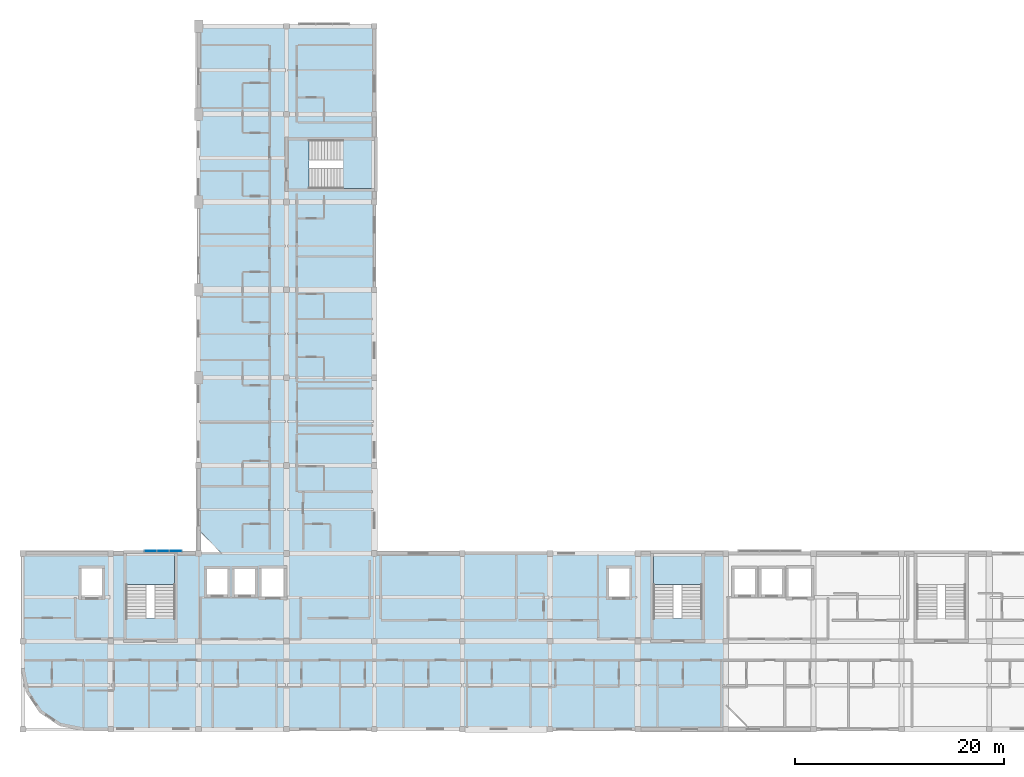
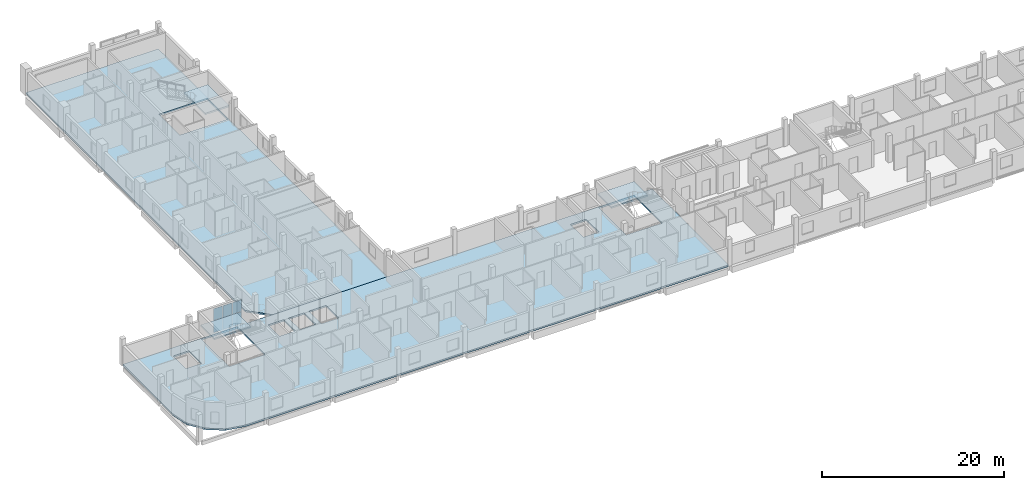
# One storey, part 7 of 20: 6 plates, 5 slabs, 4 elements without a shape of their own.
"""IFC4 building model written with IfcOpenShell, lengths in metres."""

from ifc_helpers import new_model, si_unit, derived_unit, direction, frame, origin, origin_2d, place, context, subcontext, project, spatial, polyline, rectangle, outline, extrude, material, layer, layer_set, type_object, element, aggregate, save


model = new_model("IFC4")

# Units and contexts
model_context = context("Model", 3, precision=1e-05, world=origin(), true_north=direction((0.0, 1.0)))
body_context = subcontext(model_context, "Body", "Model", "MODEL_VIEW")
ifc_project = project(units=[si_unit("LENGTHUNIT", "METRE"), si_unit("AREAUNIT", "SQUARE_METRE"), si_unit("VOLUMEUNIT", "CUBIC_METRE"), si_unit("PLANEANGLEUNIT", "RADIAN"), si_unit("MASSUNIT", "GRAM", prefix="KILO"), derived_unit("THERMALTRANSMITTANCEUNIT", [(si_unit("POWERUNIT", "WATT"), 1), (si_unit("LENGTHUNIT", "METRE"), -2), (si_unit("THERMODYNAMICTEMPERATUREUNIT", "KELVIN"), -1)])], contexts=[model_context])

# Site, building, storey
site_placement = place(None, origin())
site = spatial("IfcSite", under=ifc_project, at=site_placement, CompositionType="ELEMENT")
building_placement = place(site_placement, origin())
building = spatial("IfcBuilding", under=site, at=building_placement, Name="Barrovel Congress Hotel", CompositionType="ELEMENT")
storey_placement = place(building_placement, frame((0.0, 0.0, 36.300048828125)))
storey = spatial("IfcBuildingStorey", under=building, at=storey_placement, Name="L09", CompositionType="ELEMENT", Elevation=36.300048828125)

# Curtain wall, plates
ifc_material_1 = material(Name="Anodised Aluminium Alloy 6063-T6", Category="aluminium")
curtain_wall_type = type_object("IfcCurtainWallType", Name="CW-UN-3600x3200", PredefinedType="USERDEFINED", material=ifc_material_1)
curtain_wall_placement = place(storey_placement, origin())
curtain_wall = element("IfcCurtainWall", 1, at=curtain_wall_placement, inside=storey, type_object=curtain_wall_type, Name="CW:L09:UN-3", ObjectType="UNITISED CURTAIN WALL", PredefinedType="USERDEFINED")
ifc_material_2 = material(Name="Double Low-E Insulated Glazing", Category="glass")
ifc_layer_1 = layer(ifc_material_2, 0.031982421875)
ifc_layer_set_1 = layer_set([ifc_layer_1], Name="Double Low-E Insulated Glazing")
plate_type = type_object("IfcPlateType", Name="CWP-32", PredefinedType="CURTAIN_PANEL", material=ifc_layer_set_1)
plate_1_placement = place(storey_placement, frame((29.0, 21.219970703125, 0.030029296875), z_axis=(0.0, 0.0, 1.0), x_axis=(1.0, 0.0, 0.0)))
plate_1 = element("IfcPlate", 2, at=plate_1_placement, type_object=plate_type, Name="CW:L09:UN-3:P0-0", PredefinedType="CURTAIN_PANEL", context=body_context, shape_type="SweptSolid", body=[
    extrude(rectangle(XDim=1.139892578125, YDim=0.031982421875, at=origin_2d()), origin(), (0.0, 0.0, 1.0), 1.56494140625),
])
plate_2_placement = place(storey_placement, frame((29.0, 21.219970703125, 1.655029296875), z_axis=(0.0, 0.0, 1.0), x_axis=(1.0, 0.0, 0.0)))
plate_2 = element("IfcPlate", 3, at=plate_2_placement, type_object=plate_type, Name="CW:L09:UN-3:P0-1", PredefinedType="CURTAIN_PANEL", context=body_context, shape_type="SweptSolid", body=[
    extrude(rectangle(XDim=1.139892578125, YDim=0.031982421875, at=origin_2d()), origin(), (0.0, 0.0, 1.0), 1.56494140625),
])
plate_3_placement = place(storey_placement, frame((30.199951171875, 21.219970703125, 0.030029296875), z_axis=(0.0, 0.0, 1.0), x_axis=(1.0, 0.0, 0.0)))
plate_3 = element("IfcPlate", 4, at=plate_3_placement, type_object=plate_type, Name="CW:L09:UN-3:P1-0", PredefinedType="CURTAIN_PANEL", context=body_context, shape_type="SweptSolid", body=[
    extrude(rectangle(XDim=1.139892578125, YDim=0.031982421875, at=origin_2d()), origin(), (0.0, 0.0, 1.0), 1.56494140625),
])
plate_4_placement = place(storey_placement, frame((30.199951171875, 21.219970703125, 1.655029296875), z_axis=(0.0, 0.0, 1.0), x_axis=(1.0, 0.0, 0.0)))
plate_4 = element("IfcPlate", 5, at=plate_4_placement, type_object=plate_type, Name="CW:L09:UN-3:P1-1", PredefinedType="CURTAIN_PANEL", context=body_context, shape_type="SweptSolid", body=[
    extrude(rectangle(XDim=1.139892578125, YDim=0.031982421875, at=origin_2d()), origin(), (0.0, 0.0, 1.0), 1.56494140625),
])
plate_5_placement = place(storey_placement, frame((31.39990234375, 21.219970703125, 0.030029296875), z_axis=(0.0, 0.0, 1.0), x_axis=(1.0, 0.0, 0.0)))
plate_5 = element("IfcPlate", 6, at=plate_5_placement, type_object=plate_type, Name="CW:L09:UN-3:P2-0", PredefinedType="CURTAIN_PANEL", context=body_context, shape_type="SweptSolid", body=[
    extrude(rectangle(XDim=1.139892578125, YDim=0.031982421875, at=origin_2d()), origin(), (0.0, 0.0, 1.0), 1.56494140625),
])
plate_6_placement = place(storey_placement, frame((31.39990234375, 21.219970703125, 1.655029296875), z_axis=(0.0, 0.0, 1.0), x_axis=(1.0, 0.0, 0.0)))
plate_6 = element("IfcPlate", 7, at=plate_6_placement, type_object=plate_type, Name="CW:L09:UN-3:P2-1", PredefinedType="CURTAIN_PANEL", context=body_context, shape_type="SweptSolid", body=[
    extrude(rectangle(XDim=1.139892578125, YDim=0.031982421875, at=origin_2d()), origin(), (0.0, 0.0, 1.0), 1.56494140625),
])
aggregate(curtain_wall, [plate_1, plate_2, plate_3, plate_4, plate_5, plate_6])

# Slabs
ifc_material_3 = material(Name="Concrete C35", Category="concrete")
ifc_layer_2 = layer(ifc_material_3, 0.219970703125)
ifc_layer_set_2 = layer_set([ifc_layer_2], Name="Concrete C35")
slab_type_1 = type_object("IfcSlabType", Name="SL-F220", PredefinedType="FLOOR", material=ifc_layer_set_2)
slab_1_placement = place(storey_placement, frame((0.0, 0.0, -0.219970703125)))
element("IfcSlab", 8, at=slab_1_placement, inside=storey, type_object=slab_type_1, Name="SLAB:L09:HOT-S1", PredefinedType="FLOOR", context=body_context, shape_type="SweptSolid", body=[
    extrude(outline(polyline([(16.800048828125, 10.0), (17.241455078125, 7.780517578125), (18.498779296875, 5.898681640625), (20.38037109375, 4.6416015625), (22.60009765625, 4.199951171875), (84.0, 4.199951171875), (84.0, 21.0), (16.800048828125, 21.0), (16.800048828125, 10.0)]), holes=[polyline([(26.699951171875, 14.780029296875), (26.699951171875, 20.919921875), (31.300048828125, 20.919921875), (31.300048828125, 14.780029296875), (26.699951171875, 14.780029296875)]), polyline([(77.10009765625, 14.780029296875), (77.10009765625, 20.919921875), (81.699951171875, 20.919921875), (81.699951171875, 14.780029296875), (77.10009765625, 14.780029296875)]), polyline([(22.39990234375, 16.800048828125), (22.39990234375, 19.60009765625), (24.39990234375, 19.60009765625), (24.39990234375, 16.800048828125), (22.39990234375, 16.800048828125)]), polyline([(72.800048828125, 16.800048828125), (72.800048828125, 19.60009765625), (74.800048828125, 19.60009765625), (74.800048828125, 16.800048828125), (72.800048828125, 16.800048828125)]), polyline([(34.39990234375, 17.050048828125), (34.39990234375, 19.550048828125), (36.39990234375, 19.550048828125), (36.39990234375, 17.050048828125), (34.39990234375, 17.050048828125)]), polyline([(37.0, 17.050048828125), (37.0, 19.550048828125), (39.0, 19.550048828125), (39.0, 17.050048828125), (37.0, 17.050048828125)]), polyline([(39.60009765625, 16.800048828125), (39.60009765625, 19.60009765625), (41.800048828125, 19.60009765625), (41.800048828125, 16.800048828125), (39.60009765625, 16.800048828125)])]), origin(), (0.0, 0.0, 1.0), 0.219970703125),
])
slab_2_placement = place(storey_placement, frame((0.0, 0.0, -0.219970703125)))
element("IfcSlab", 9, at=slab_2_placement, inside=storey, type_object=slab_type_1, Name="SLAB:L09:HOT-W1", PredefinedType="FLOOR", context=body_context, shape_type="SweptSolid", body=[
    extrude(outline(polyline([(35.800048828125, 21.0), (50.39990234375, 21.0), (50.39990234375, 71.39990234375), (33.60009765625, 71.39990234375), (33.60009765625, 23.199951171875), (35.800048828125, 21.0)]), holes=[polyline([(44.179931640625, 55.89990234375), (44.179931640625, 60.5), (50.320068359375, 60.5), (50.320068359375, 55.89990234375), (44.179931640625, 55.89990234375)])]), origin(), (0.0, 0.0, 1.0), 0.219970703125),
])

# Stair, slab
ifc_material_4 = material(Name="Concrete C40", Category="concrete")
stair_type_1 = type_object("IfcStairType", Name="STR-HT-360", PredefinedType="HALF_TURN_STAIR", material=ifc_material_4)
stair_1_placement = place(storey_placement, origin())
stair_1 = element("IfcStair", 10, at=stair_1_placement, inside=storey, type_object=stair_type_1, Name="Exit Stair XS-01 (L09)", PredefinedType="HALF_TURN_STAIR")
ifc_layer_3 = layer(ifc_material_4, 0.18994140625)
ifc_layer_set_3 = layer_set([ifc_layer_3], Name="Concrete C40")
slab_type_2 = type_object("IfcSlabType", Name="SL-LDG-190", PredefinedType="LANDING", material=ifc_layer_set_3)
slab_3_placement = place(storey_placement, frame((0.0, 0.0, 1.60986328125)))
slab_3 = element("IfcSlab", 11, at=slab_3_placement, type_object=slab_type_2, Name="STAIR:XS-01:L09:LDG", PredefinedType="LANDING", context=body_context, shape_type="SweptSolid", body=[
    extrude(outline(polyline([(26.679931640625, 18.010009765625), (31.320068359375, 18.010009765625), (31.320068359375, 21.02001953125), (26.679931640625, 21.02001953125), (26.679931640625, 18.010009765625)])), origin(), (0.0, 0.0, 1.0), 0.190185546875),
])
aggregate(stair_1, [slab_3])

stair_2_placement = place(storey_placement, origin())
stair_2 = element("IfcStair", 12, at=stair_2_placement, inside=storey, type_object=stair_type_1, Name="Exit Stair XS-02 (L09)", PredefinedType="HALF_TURN_STAIR")
ifc_layer_4 = layer(ifc_material_4, 0.2099609375)
ifc_layer_set_4 = layer_set([ifc_layer_4], Name="Concrete C40")
slab_type_3 = type_object("IfcSlabType", Name="SL-LDG-210", PredefinedType="LANDING", material=ifc_layer_set_4)
slab_4_placement = place(storey_placement, frame((0.0, 0.0, 1.58984375)))
slab_4 = element("IfcSlab", 13, at=slab_4_placement, type_object=slab_type_3, Name="STAIR:XS-02:L09:LDG", PredefinedType="LANDING", context=body_context, shape_type="SweptSolid", body=[
    extrude(outline(polyline([(77.080078125, 18.010009765625), (81.719970703125, 18.010009765625), (81.719970703125, 21.02001953125), (77.080078125, 21.02001953125), (77.080078125, 18.010009765625)])), origin(), (0.0, 0.0, 1.0), 0.210205078125),
])
aggregate(stair_2, [slab_4])

stair_type_2 = type_object("IfcStairType", Name="STR-DR-360", PredefinedType="DOUBLE_RETURN_STAIR", material=ifc_material_4)
stair_3_placement = place(storey_placement, origin())
stair_3 = element("IfcStair", 14, at=stair_3_placement, inside=storey, type_object=stair_type_2, Name="Exit Stair XS-05 (L09)", PredefinedType="DOUBLE_RETURN_STAIR")
slab_5_placement = place(storey_placement, frame((0.0, 0.0, 1.58984375)))
slab_5 = element("IfcSlab", 15, at=slab_5_placement, type_object=slab_type_3, Name="STAIR:XS-05:L09:LDG", PredefinedType="LANDING", context=body_context, shape_type="SweptSolid", body=[
    extrude(outline(polyline([(47.409912109375, 55.8798828125), (50.419921875, 55.8798828125), (50.419921875, 60.52001953125), (47.409912109375, 60.52001953125), (47.409912109375, 55.8798828125)])), origin(), (0.0, 0.0, 1.0), 0.210205078125),
])
aggregate(stair_3, [slab_5])

save(model, "model.ifc")
